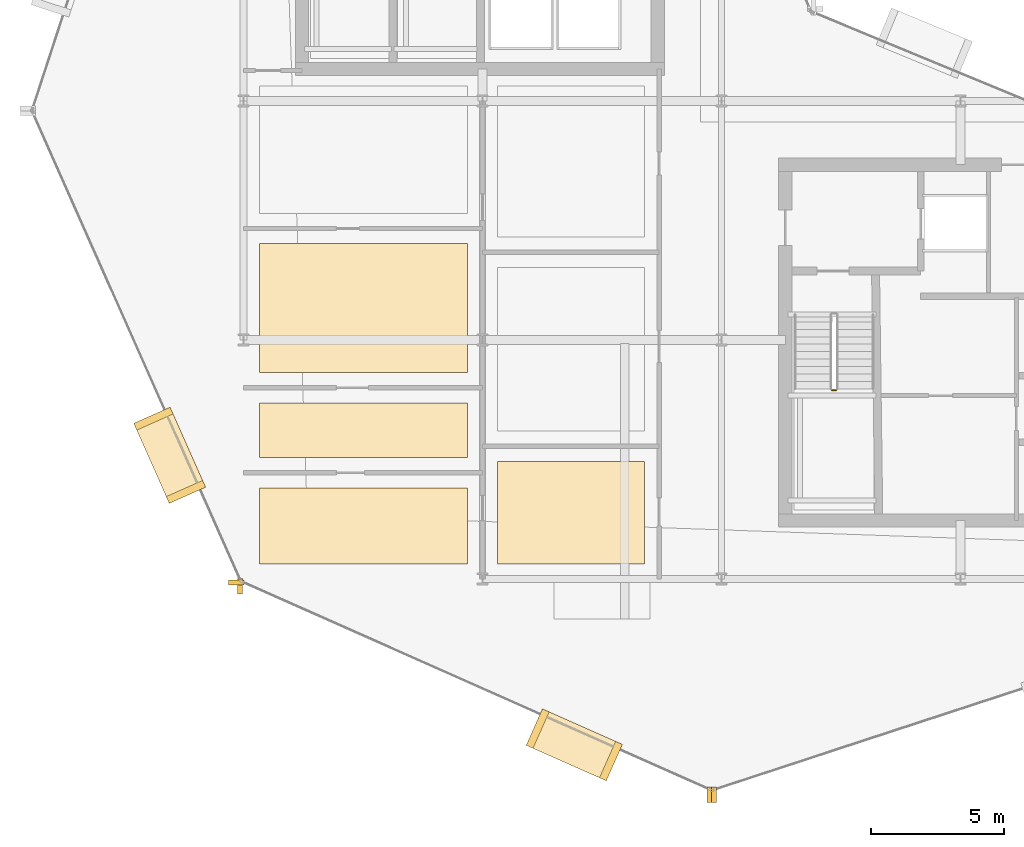
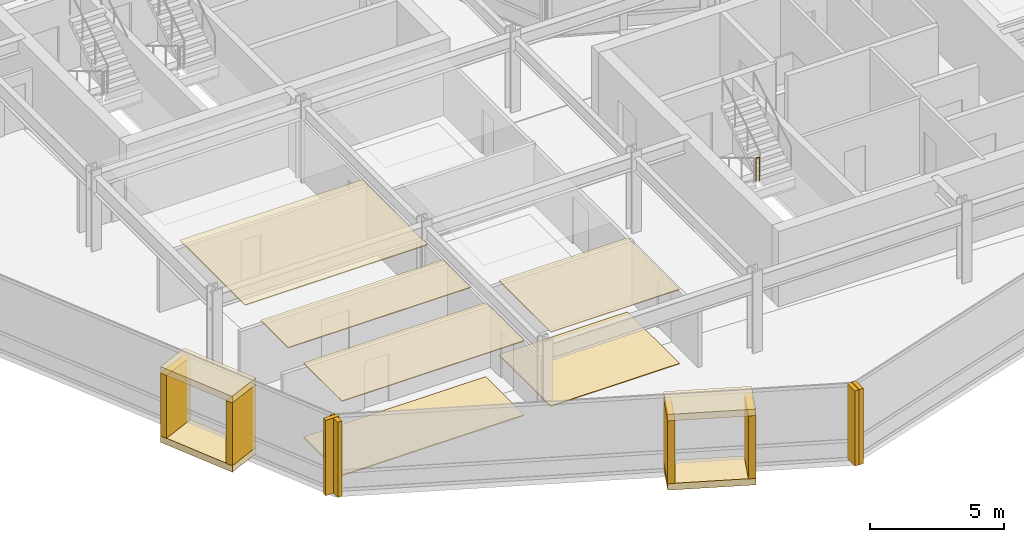
# One storey, part 25 of 29: 18 coverings, 1 railing.
"""IFC4 building model written with IfcOpenShell, lengths in metres."""

from ifc_helpers import new_model, si_unit, direction, frame, origin, origin_2d, place, context, subcontext, project, spatial, polyline, rectangle, circle, outline, extrude, material, layer, layer_set, type_object, element, save


model = new_model("IFC4")

# Units and contexts
model_context = context("Model", 3, precision=1e-05, world=origin(), true_north=direction((0.0, 1.0)))
body_context = subcontext(model_context, "Body", "Model", "MODEL_VIEW")
ifc_project = project(units=[si_unit("LENGTHUNIT", "METRE"), si_unit("AREAUNIT", "SQUARE_METRE"), si_unit("VOLUMEUNIT", "CUBIC_METRE"), si_unit("PLANEANGLEUNIT", "RADIAN"), si_unit("MASSUNIT", "GRAM", prefix="KILO")], contexts=[model_context])

# Site, building, storey
site_placement = place(None, origin())
site = spatial("IfcSite", under=ifc_project, at=site_placement, CompositionType="ELEMENT")
building_placement = place(site_placement, origin())
building = spatial("IfcBuilding", under=site, at=building_placement, Name="Solvaryn Broadcast Tower", CompositionType="ELEMENT")
storey_placement = place(building_placement, frame((0.0, 0.0, 128.5)))
storey = spatial("IfcBuildingStorey", under=building, at=storey_placement, Name="L31", CompositionType="ELEMENT", Elevation=128.5)

# Coverings
ifc_material_1 = material(Name="Micro-Perforated Acoustic Gypsum Ceiling", Category="concrete")
ifc_layer_1 = layer(ifc_material_1, 0.0400390625)
ifc_layer_set_1 = layer_set([ifc_layer_1], Name="CV-CEIL-ACOUSTIC")
covering_type_1 = type_object("IfcCoveringType", Name="CV-CEIL-ACOUSTIC", PredefinedType="CEILING", material=ifc_layer_set_1)
covering_1_placement = place(storey_placement, frame((0.0, 0.0, 3.3798828125)))
element("IfcCovering", 1, at=covering_1_placement, inside=storey, type_object=covering_type_1, Name="L31 Room Acoustic Ceiling 1", PredefinedType="CEILING", context=body_context, shape_type="SweptSolid", body=[
    extrude(outline(polyline([(18.570068359375, 9.570068359375), (24.10009765625, 9.570068359375), (24.10009765625, 13.429931640625), (18.570068359375, 13.429931640625), (18.570068359375, 9.570068359375)])), origin(), (0.0, 0.0, 1.0), 0.0400390625),
])
covering_2_placement = place(storey_placement, frame((0.0, 0.0, 3.3798828125)))
element("IfcCovering", 2, at=covering_2_placement, inside=storey, type_object=covering_type_1, Name="L31 Room Acoustic Ceiling 4", PredefinedType="CEILING", context=body_context, shape_type="SweptSolid", body=[
    extrude(outline(polyline([(9.60009765625, 9.570068359375), (17.429931640625, 9.570068359375), (17.429931640625, 12.429931640625), (9.60009765625, 12.429931640625), (9.60009765625, 9.570068359375)])), origin(), (0.0, 0.0, 1.0), 0.0400390625),
])
covering_3_placement = place(storey_placement, frame((0.0, 0.0, 3.3798828125)))
element("IfcCovering", 3, at=covering_3_placement, inside=storey, type_object=covering_type_1, Name="L31 Room Acoustic Ceiling 5", PredefinedType="CEILING", context=body_context, shape_type="SweptSolid", body=[
    extrude(outline(polyline([(9.60009765625, 13.570068359375), (17.429931640625, 13.570068359375), (17.429931640625, 15.6298828125), (9.60009765625, 15.6298828125), (9.60009765625, 13.570068359375)])), origin(), (0.0, 0.0, 1.0), 0.0400390625),
])
covering_4_placement = place(storey_placement, frame((0.0, 0.0, 3.3798828125)))
element("IfcCovering", 4, at=covering_4_placement, inside=storey, type_object=covering_type_1, Name="L31 Room Acoustic Ceiling 6", PredefinedType="CEILING", context=body_context, shape_type="SweptSolid", body=[
    extrude(outline(polyline([(9.60009765625, 16.77001953125), (17.429931640625, 16.77001953125), (17.429931640625, 21.6298828125), (9.60009765625, 21.6298828125), (9.60009765625, 16.77001953125)])), origin(), (0.0, 0.0, 1.0), 0.0400390625),
])
ifc_material_2 = material(Name="Newsroom Raised Data Access Flooring", Category="steel")
ifc_layer_2 = layer(ifc_material_2, 0.050048828125)
ifc_layer_set_2 = layer_set([ifc_layer_2], Name="CV-FLOOR-RAISED")
covering_type_2 = type_object("IfcCoveringType", Name="CV-FLOOR-RAISED", PredefinedType="FLOORING", material=ifc_layer_set_2)
covering_5_placement = place(storey_placement, origin())
element("IfcCovering", 5, at=covering_5_placement, inside=storey, type_object=covering_type_2, Name="L31 Room Acoustic Floor Finish 1", PredefinedType="FLOORING", context=body_context, shape_type="SweptSolid", body=[
    extrude(outline(polyline([(18.570068359375, 9.570068359375), (24.10009765625, 9.570068359375), (24.10009765625, 13.429931640625), (18.570068359375, 13.429931640625), (18.570068359375, 9.570068359375)])), origin(), (0.0, 0.0, 1.0), 0.050048828125),
])
covering_6_placement = place(storey_placement, origin())
element("IfcCovering", 6, at=covering_6_placement, inside=storey, type_object=covering_type_2, Name="L31 Room Acoustic Floor Finish 4", PredefinedType="FLOORING", context=body_context, shape_type="SweptSolid", body=[
    extrude(outline(polyline([(9.60009765625, 9.570068359375), (17.429931640625, 9.570068359375), (17.429931640625, 12.429931640625), (9.60009765625, 12.429931640625), (9.60009765625, 9.570068359375)])), origin(), (0.0, 0.0, 1.0), 0.050048828125),
])
ifc_material_3 = material(Name="Glazed Architectural Terracotta Rainscreen Cladding", Category="masonry")
ifc_layer_3 = layer(ifc_material_3, 0.280029296875)
ifc_layer_set_3 = layer_set([ifc_layer_3], Name="CV-TC-CLAD")
covering_type_3 = type_object("IfcCoveringType", Name="CV-TC-CLAD", PredefinedType="CLADDING", material=ifc_layer_set_3)
for number, where, z_axis, x_axis, name in (
    (7, (6.218994140625, 13.656982421875, 3.1298828125), (0.0, 0.0, 1.0), (0.405939269498, -0.913900054426, 0.0), "L31 Projecting Stone Window Box Hood 2"),
    (8, (6.218994140625, 13.656982421875, -0.01025390625), (0.0, 0.0, 1.0), (0.405939269498, -0.913900054426, 0.0), "L31 Projecting Stone Window Box Sill 2"),
):
    element("IfcCovering", number, at=place(storey_placement, frame(where, z_axis=z_axis, x_axis=x_axis)), inside=storey, type_object=covering_type_3, Name=name, PredefinedType="CLADDING", context=body_context, shape_type="SweptSolid", body=[
        extrude(rectangle(XDim=3.300048828125, YDim=1.5, at=origin_2d()), origin(), (0.0, 0.0, 1.0), 0.300048828125),
    ])
for number, where, z_axis, x_axis, name in (
    (9, (5.60595703125, 15.037109375, 0.27978515625), (0.0, 0.0, 1.0), (0.405939269498, -0.913900054426, 0.0), "L31 Projecting Stone Window Box Cheek 2-1"),
    (10, (6.83203125, 12.277099609375, 0.27978515625), (0.0, 0.0, 1.0), (0.405939269498, -0.913900054426, 0.0), "L31 Projecting Stone Window Box Cheek 2-2"),
):
    element("IfcCovering", number, at=place(storey_placement, frame(where, z_axis=z_axis, x_axis=x_axis)), inside=storey, type_object=covering_type_3, Name=name, PredefinedType="CLADDING", context=body_context, shape_type="SweptSolid", body=[
        extrude(rectangle(XDim=0.280029296875, YDim=1.5, at=origin_2d()), origin(), (0.0, 0.0, 1.0), 2.860107421875),
    ])
for number, where, z_axis, x_axis, name in (
    (11, (21.45703125, 2.75390625, 3.1298828125), (0.0, 0.0, 1.0), (0.913900054426, -0.405939269498, 0.0), "L31 Projecting Stone Window Box Hood 3"),
    (12, (21.45703125, 2.75390625, -0.01025390625), (0.0, 0.0, 1.0), (0.913900054426, -0.405939269498, 0.0), "L31 Projecting Stone Window Box Sill 3"),
):
    element("IfcCovering", number, at=place(storey_placement, frame(where, z_axis=z_axis, x_axis=x_axis)), inside=storey, type_object=covering_type_3, Name=name, PredefinedType="CLADDING", context=body_context, shape_type="SweptSolid", body=[
        extrude(rectangle(XDim=3.300048828125, YDim=1.5, at=origin_2d()), origin(), (0.0, 0.0, 1.0), 0.300048828125),
    ])
for number, where, z_axis, x_axis, name in (
    (13, (20.076904296875, 3.366943359375, 0.27978515625), (0.0, 0.0, 1.0), (0.913900054426, -0.405939269498, 0.0), "L31 Projecting Stone Window Box Cheek 3-1"),
    (14, (22.8369140625, 2.14111328125, 0.27978515625), (0.0, 0.0, 1.0), (0.913900054426, -0.405939269498, 0.0), "L31 Projecting Stone Window Box Cheek 3-2"),
):
    element("IfcCovering", number, at=place(storey_placement, frame(where, z_axis=z_axis, x_axis=x_axis)), inside=storey, type_object=covering_type_3, Name=name, PredefinedType="CLADDING", context=body_context, shape_type="SweptSolid", body=[
        extrude(rectangle(XDim=0.280029296875, YDim=1.5, at=origin_2d()), origin(), (0.0, 0.0, 1.0), 2.860107421875),
    ])
ifc_material_4 = material(Name="Extruded Architectural Terracotta Fin", Category="masonry")
ifc_layer_4 = layer(ifc_material_4, 0.179931640625)
ifc_layer_set_4 = layer_set([ifc_layer_4], Name="CV-TC-FIN")
covering_type_4 = type_object("IfcCoveringType", Name="CV-TC-FIN", PredefinedType="USERDEFINED", material=ifc_layer_set_4)
covering_7_placement = place(storey_placement, frame((8.731689453125, 8.86279296875, 0.0), z_axis=(0.0, 0.0, 1.0), x_axis=(1.0, 0.0, 0.0)))
element("IfcCovering", 15, at=covering_7_placement, inside=storey, type_object=covering_type_4, Name="L31 Terracotta Vertical Fin FIN-L31-DR2-M01", ObjectType="FIN", PredefinedType="USERDEFINED", context=body_context, shape_type="SweptSolid", body=[
    extrude(rectangle(XDim=0.580078125, YDim=0.179931640625, at=origin_2d()), origin(), (0.0, 0.0, 1.0), 3.419921875),
])
for number, where, z_axis, x_axis, name in (
    (16, (8.86279296875, 8.731689453125, 0.0), (0.0, 0.0, 1.0), (1.0, 0.0, 0.0), "L31 Terracotta Vertical Fin FIN-L31-DR3-M00"),
    (17, (26.535888671875, 0.8818359375, 0.0), (0.0, 0.0, 1.0), (1.0, 0.0, 0.0), "L31 Terracotta Vertical Fin FIN-L31-DR3-M01"),
    (18, (26.720703125, 0.872314453125, 0.0), (0.0, 0.0, 1.0), (1.0, 0.0, 0.0), "L31 Terracotta Vertical Fin FIN-L31-DR4-M00"),
):
    element("IfcCovering", number, at=place(storey_placement, frame(where, z_axis=z_axis, x_axis=x_axis)), inside=storey, type_object=covering_type_4, Name=name, ObjectType="FIN", PredefinedType="USERDEFINED", context=body_context, shape_type="SweptSolid", body=[
        extrude(rectangle(XDim=0.179931640625, YDim=0.580078125, at=origin_2d()), origin(), (0.0, 0.0, 1.0), 3.419921875),
    ])

# Railing
ifc_material_5 = material(Name="Painted Steel Stair Well Guard", Category="steel")
railing_type = type_object("IfcRailingType", Name="RL-STAIR-GUARD", PredefinedType="BALUSTRADE", material=ifc_material_5)
railing_placement = place(storey_placement, frame((31.159912109375, 16.110107421875, 1.85009765625)))
element("IfcRailing", 19, at=railing_placement, inside=storey, type_object=railing_type, Name="L31 ST3 stair guard 2", PredefinedType="BALUSTRADE", context=body_context, shape_type="SweptSolid", body=[
    extrude(circle(Radius=0.02392578125, at=origin_2d()), frame((0.0, 0.0, 1.076171875), z_axis=(1.0, 0.0, 0.0), x_axis=(0.0, 1.0, 0.0)), (0.0, 0.0, 1.0), 0.150146484375),
    extrude(circle(Radius=0.02099609375, at=origin_2d()), origin(), (0.0, 0.0, 1.0), 1.052001953125),
    extrude(circle(Radius=0.02099609375, at=origin_2d()), frame((0.150146484375, 0.0, 0.0)), (0.0, 0.0, 1.0), 1.052001953125),
])

save(model, "model.ifc")
